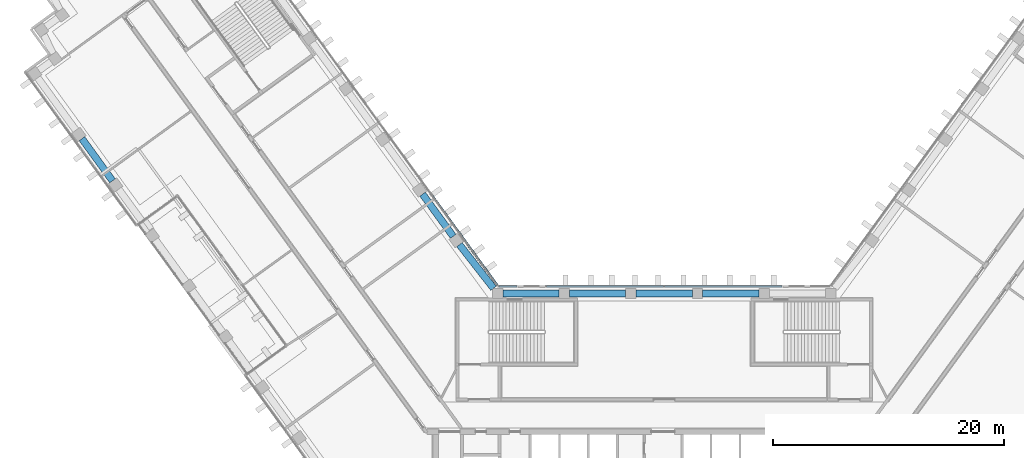
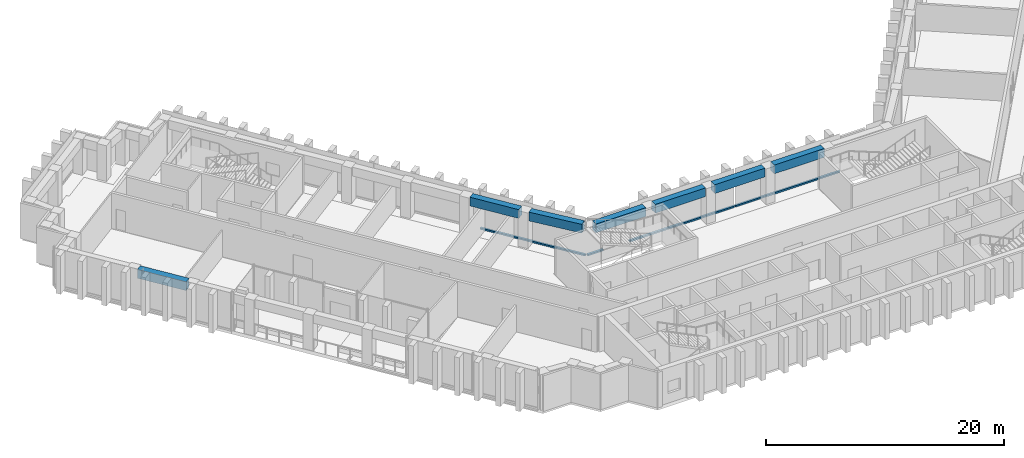
"""IFC4 building model written with IfcOpenShell, lengths in metres."""

from ifc_helpers import new_model, si_unit, direction, frame, origin, origin_2d, place, context, subcontext, project, spatial, rectangle, extrude, material, material_profile, profile_set, type_object, element, aggregate, save


model = new_model("IFC4")

# Units and contexts
model_context = context("Model", 3, precision=1e-05, world=origin(), true_north=direction((0.0, 1.0)))
body_context = subcontext(model_context, "Body", "Model", "MODEL_VIEW")
ifc_project = project(units=[si_unit("LENGTHUNIT", "METRE"), si_unit("AREAUNIT", "SQUARE_METRE"), si_unit("VOLUMEUNIT", "CUBIC_METRE"), si_unit("PLANEANGLEUNIT", "RADIAN"), si_unit("MASSUNIT", "GRAM", prefix="KILO")], contexts=[model_context])

# Site, building, storey
site_placement = place(None, origin())
site = spatial("IfcSite", under=ifc_project, at=site_placement, CompositionType="ELEMENT")
building_placement = place(site_placement, origin())
building = spatial("IfcBuilding", under=site, at=building_placement, Name="Quipu Civic Tower", CompositionType="ELEMENT")
storey_1_placement = place(building_placement, frame((0.0, 0.0, 51.0)))
storey_1 = spatial("IfcBuildingStorey", under=building, at=storey_1_placement, Name="L11", CompositionType="ELEMENT", Elevation=51.0)

# Beams
ifc_material_1 = material(Name="Concrete C50/60", Category="concrete")
ifc_material_profile_1 = material_profile(ifc_material_1, rectangle(XDim=0.60009765625, YDim=0.89990234375, at=origin_2d()), Name="RC600x900")
ifc_profile_set_1 = profile_set([ifc_material_profile_1], Name="Concrete C50/60")
beam_type = type_object("IfcBeamType", Name="Spandrel beam RC 600x900 C50/60", PredefinedType="SPANDREL", material=ifc_profile_set_1)
for number, where, z_axis, x_axis, name in (
    (1, (-18.238037109375, 15.43896484375, 3.199951171875), (-0.587716763865, 0.809066749701, 0.0), (-0.809066749701, -0.587716763865, 0.0), "Spandrel beam L11 W-IN-01 to W-IN-02"),
    (2, (-50.327880859375, 23.87939453125, 3.199951171875), (0.587778073121, -0.809022210299, 0.0), (0.809022210299, 0.587778073121, 0.0), "Spandrel beam L11 W-OUT-07 to W-OUT-06"),
):
    element("IfcBeam", number, at=place(storey_1_placement, frame(where, z_axis=z_axis, x_axis=x_axis)), inside=storey_1, type_object=beam_type, Name=name, PredefinedType="SPANDREL", context=body_context, shape_type="SweptSolid", body=[
        extrude(rectangle(XDim=0.60009765625, YDim=0.89990234375, at=origin_2d()), origin(), (0.0, 0.0, 1.0), 4.5),
    ])
for number, where, z_axis, x_axis, name in (
    (3, (8.18701171875, 10.5, 3.199951171875), (-1.0, 0.0, 0.0), (0.0, -1.0, 0.0), "Spandrel beam L11 FRONT-01 to FRONT-02"),
    (4, (2.428955078125, 10.5, 3.199951171875), (-1.0, 0.0, 0.0), (0.0, -1.0, 0.0), "Spandrel beam L11 FRONT-02 to FRONT-03"),
    (5, (-3.3291015625, 10.5, 3.199951171875), (-1.0, 0.0, 0.0), (0.0, -1.0, 0.0), "Spandrel beam L11 FRONT-03 to FRONT-04"),
):
    element("IfcBeam", number, at=place(storey_1_placement, frame(where, z_axis=z_axis, x_axis=x_axis)), inside=storey_1, type_object=beam_type, Name=name, PredefinedType="SPANDREL", context=body_context, shape_type="SweptSolid", body=[
        extrude(rectangle(XDim=0.60009765625, YDim=0.89990234375, at=origin_2d()), origin(), (0.0, 0.0, 1.0), 4.85791015625),
    ])
beam_1_placement = place(storey_1_placement, frame((-9.087158203125, 10.5, 3.199951171875), z_axis=(-1.0, 0.0, 0.0), x_axis=(0.0, -1.0, 0.0)))
element("IfcBeam", 6, at=beam_1_placement, inside=storey_1, type_object=beam_type, Name="Spandrel beam L11 FRONT-04 to J-Wi.0", PredefinedType="SPANDREL", context=body_context, shape_type="SweptSolid", body=[
    extrude(rectangle(XDim=0.60009765625, YDim=0.89990234375, at=origin_2d()), origin(), (0.0, 0.0, 1.0), 4.858154296875),
])
beam_2_placement = place(storey_1_placement, frame((-14.7470703125, 10.949951171875, 3.199951171875), z_axis=(-0.616123961998, 0.787649200756, 0.0), x_axis=(-0.787649200756, -0.616123961998, 0.0)))
element("IfcBeam", 7, at=beam_2_placement, inside=storey_1, type_object=beam_type, Name="Spandrel beam L11 J-Wi.0 to W-IN-01", PredefinedType="SPANDREL", context=body_context, shape_type="SweptSolid", body=[
    extrude(rectangle(XDim=0.60009765625, YDim=0.89990234375, at=origin_2d()), origin(), (0.0, 0.0, 1.0), 4.78662109375),
])

# Storey
storey_2_placement = place(building_placement, frame((0.0, 0.0, 47.0)))
storey_2 = spatial("IfcBuildingStorey", under=building, at=storey_2_placement, Name="L10", CompositionType="ELEMENT", Elevation=47.0)

# Curtain wall, members
ifc_material_2 = material(Name="Insulated glass unit", Category="glass")
curtain_wall_type = type_object("IfcCurtainWallType", Name="Office curtain wall CW1", PredefinedType="NOTDEFINED", material=ifc_material_2)
curtain_wall_1_placement = place(storey_2_placement, origin())
curtain_wall_1 = element("IfcCurtainWall", 8, at=curtain_wall_1_placement, inside=storey_2, type_object=curtain_wall_type, Name="Office curtain wall CW1 L09 run 32", PredefinedType="NOTDEFINED")
ifc_material_3 = material(Name="Anodised aluminium", Category="aluminium")
ifc_material_profile_2 = material_profile(ifc_material_3, rectangle(XDim=0.199951171875, YDim=0.159912109375, at=origin_2d()), Name="RECT 200x160")
ifc_profile_set_2 = profile_set([ifc_material_profile_2], Name="Anodised aluminium")
member_type = type_object("IfcMemberType", Name="Transom CW1", PredefinedType="USERDEFINED", material=ifc_profile_set_2)
member_1_placement = place(storey_1_placement, frame((10.18359375, 11.10009765625, 0.080078125), z_axis=(-1.0, 0.0, 0.0), x_axis=(0.0, -1.0, 0.0)))
member_1 = element("IfcMember", 9, at=member_1_placement, inside=storey_1, type_object=member_type, Name="CW1 transom 1.3", ObjectType="TRANSOM", PredefinedType="USERDEFINED", context=body_context, shape_type="SweptSolid", body=[
    extrude(rectangle(XDim=0.199951171875, YDim=0.159912109375, at=origin_2d()), origin(), (0.0, 0.0, 1.0), 10.1435546875),
])
member_2_placement = place(storey_1_placement, frame((-0.0400390625, 11.10009765625, 0.080078125), z_axis=(-1.0, 0.0, 0.0), x_axis=(0.0, -1.0, 0.0)))
member_2 = element("IfcMember", 10, at=member_2_placement, inside=storey_1, type_object=member_type, Name="CW1 transom 2.3", ObjectType="TRANSOM", PredefinedType="USERDEFINED", context=body_context, shape_type="SweptSolid", body=[
    extrude(rectangle(XDim=0.199951171875, YDim=0.159912109375, at=origin_2d()), origin(), (0.0, 0.0, 1.0), 10.1435546875),
])
aggregate(curtain_wall_1, [member_1, member_2])

# Curtain wall, member
curtain_wall_2_placement = place(storey_2_placement, origin())
curtain_wall_2 = element("IfcCurtainWall", 11, at=curtain_wall_2_placement, inside=storey_2, type_object=curtain_wall_type, Name="Office curtain wall CW1 L09 run 34", PredefinedType="NOTDEFINED")
member_3_placement = place(storey_1_placement, frame((-12.735107421875, 11.10009765625, 0.080078125), z_axis=(-1.0, 0.0, 0.0), x_axis=(0.0, -1.0, 0.0)))
member_3 = element("IfcMember", 12, at=member_3_placement, inside=storey_1, type_object=member_type, Name="CW1 transom 1.3", ObjectType="TRANSOM", PredefinedType="USERDEFINED", context=body_context, shape_type="SweptSolid", body=[
    extrude(rectangle(XDim=0.199951171875, YDim=0.159912109375, at=origin_2d()), origin(), (0.0, 0.0, 1.0), 1.529052734375),
])
aggregate(curtain_wall_2, [member_3])

curtain_wall_3_placement = place(storey_2_placement, origin())
curtain_wall_3 = element("IfcCurtainWall", 13, at=curtain_wall_3_placement, inside=storey_2, type_object=curtain_wall_type, Name="Office curtain wall CW1 L09 run 35", PredefinedType="NOTDEFINED")
member_4_placement = place(storey_1_placement, frame((-14.39111328125, 11.164794921875, 0.080078125), z_axis=(-0.58779220199, 0.809011945079, 0.0), x_axis=(-0.809011945079, -0.58779220199, 0.0)))
member_4 = element("IfcMember", 14, at=member_4_placement, inside=storey_1, type_object=member_type, Name="CW1 transom 1.3", ObjectType="TRANSOM", PredefinedType="USERDEFINED", context=body_context, shape_type="SweptSolid", body=[
    extrude(rectangle(XDim=0.199951171875, YDim=0.159912109375, at=origin_2d()), origin(), (0.0, 0.0, 1.0), 9.64111328125),
])
aggregate(curtain_wall_3, [member_4])

save(model, "model.ifc")
